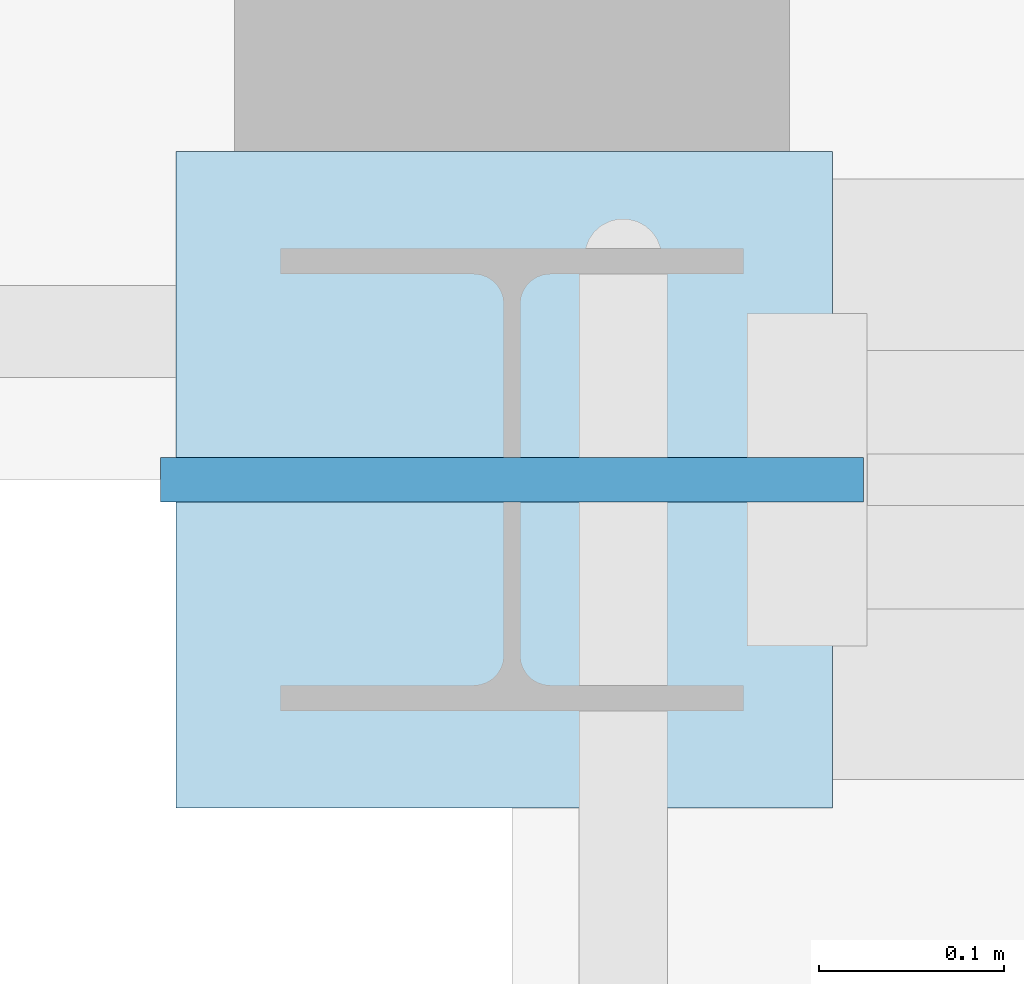
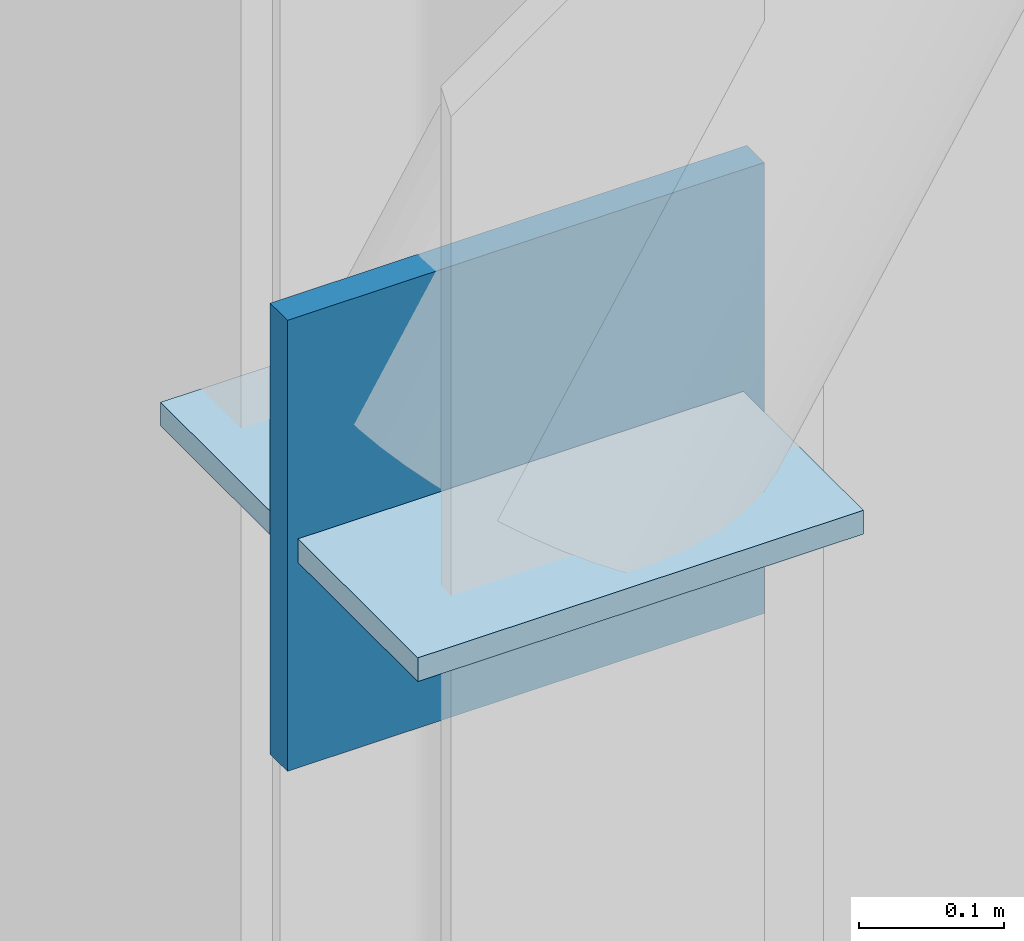
# One storey, part 76 of 108: 2 plates.
"""IFC4 building model written with IfcOpenShell, lengths in metres."""

from ifc_helpers import new_model, si_unit, direction, frame, origin, origin_2d, place, context, subcontext, project, spatial, rectangle, extrude, material, layer, layer_set, type_object, element, save


model = new_model("IFC4")

# Units and contexts
model_context = context("Model", 3, precision=1e-05, world=origin(), true_north=direction((0.0, 1.0)))
body_context = subcontext(model_context, "Body", "Model", "MODEL_VIEW")
ifc_project = project(units=[si_unit("LENGTHUNIT", "METRE"), si_unit("AREAUNIT", "SQUARE_METRE"), si_unit("VOLUMEUNIT", "CUBIC_METRE"), si_unit("PLANEANGLEUNIT", "RADIAN"), si_unit("MASSUNIT", "GRAM", prefix="KILO")], contexts=[model_context])

# Site, building, storey
site_placement = place(None, origin())
site = spatial("IfcSite", under=ifc_project, at=site_placement, CompositionType="ELEMENT")
building_placement = place(site_placement, origin())
building = spatial("IfcBuilding", under=site, at=building_placement, Name="Zhaolan Boulevard Law Courts", CompositionType="ELEMENT")
storey_placement = place(building_placement, frame((0.0, 0.0, 10.800048828125)))
storey = spatial("IfcBuildingStorey", under=building, at=storey_placement, Name="L02", CompositionType="ELEMENT", Elevation=10.800048828125)

# Plates
ifc_material_1 = material(Name="Structural steel Q355B", Category="steel")
ifc_layer_1 = layer(ifc_material_1, 0.02392578125)
ifc_layer_set_1 = layer_set([ifc_layer_1])
plate_type_1 = type_object("IfcPlateType", Name="BRACE GUSSET PLATE 24", PredefinedType="SHEET", material=ifc_layer_set_1)
plate_1_placement = place(storey_placement, frame((124.0, 6.0, 1.81005859375), z_axis=(0.0, 0.0, 1.0), x_axis=(1.0, 0.0, 0.0)))
element("IfcPlate", 1, at=plate_1_placement, inside=storey, type_object=plate_type_1, Name="Eave Strut End Gusset GP-FPS1-1", PredefinedType="SHEET", context=body_context, shape_type="SweptSolid", body=[
    extrude(rectangle(XDim=0.3798828125, YDim=0.02392578125, at=origin_2d()), origin(), (0.0, 0.0, 1.0), 0.3798828125),
])
ifc_material_2 = material(Name="Structural steel Q355B", Category="steel")
ifc_layer_2 = layer(ifc_material_2, 0.02001953125)
ifc_layer_set_2 = layer_set([ifc_layer_2])
plate_type_2 = type_object("IfcPlateType", Name="END CAP PLATE 20", PredefinedType="SHEET", material=ifc_layer_set_2)
plate_2_placement = place(storey_placement, frame((123.995849609375, 6.0, 1.983154296875), z_axis=(0.0, 0.0, 1.0), x_axis=(1.0, 0.0, 0.0)))
element("IfcPlate", 2, at=plate_2_placement, inside=storey, type_object=plate_type_2, Name="Hollow Section End-Cap Plate ECP-1415", PredefinedType="SHEET", context=body_context, shape_type="SweptSolid", body=[
    extrude(rectangle(XDim=0.35498046875, YDim=0.35498046875, at=origin_2d()), origin(), (0.0, 0.0, 1.0), 0.02001953125),
])

save(model, "model.ifc")
